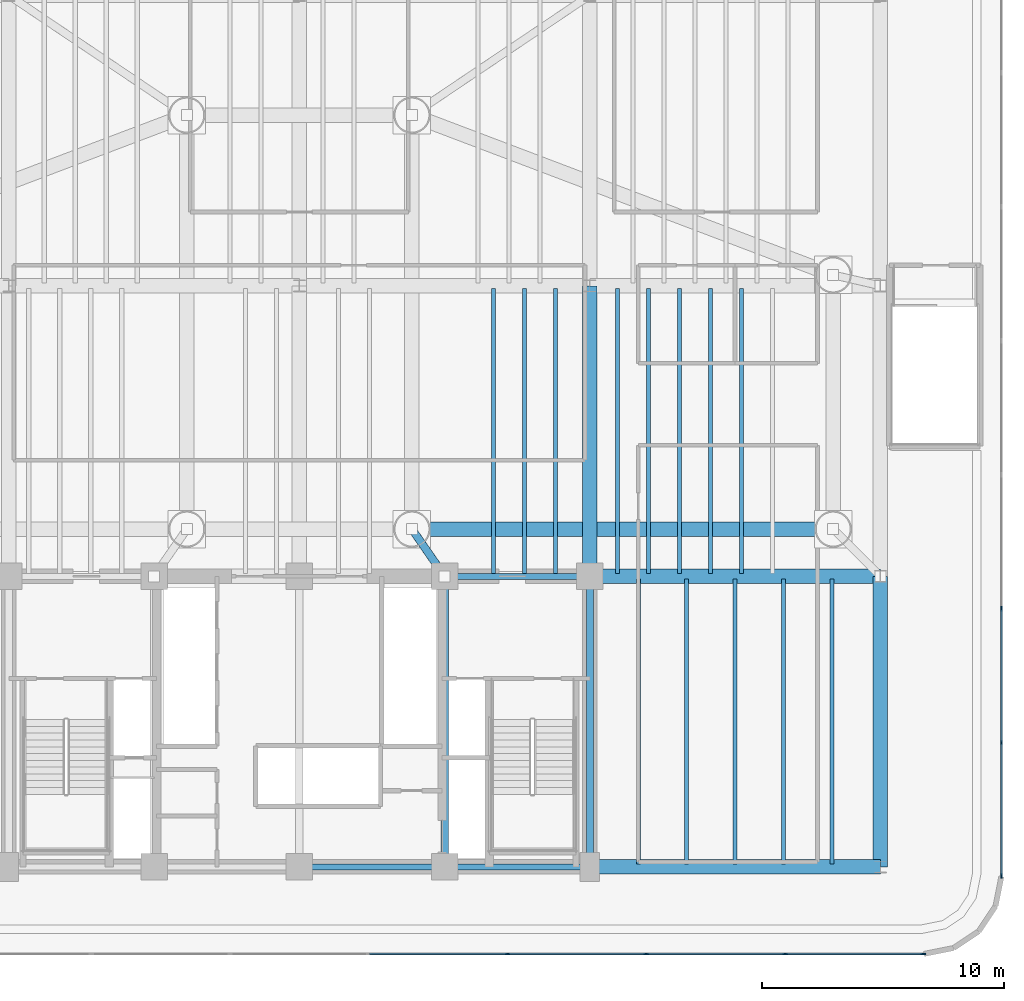
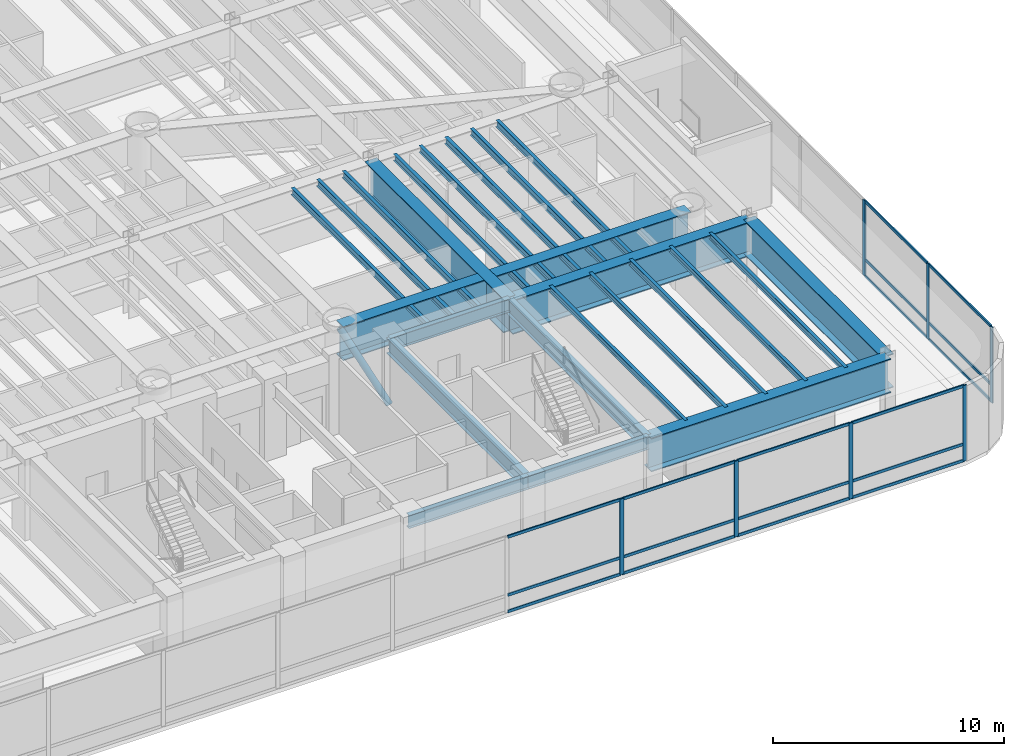
# One storey, part 5 of 18: 26 members, 23 beams, 2 elements without a shape of their own.
"""IFC4 building model written with IfcOpenShell, lengths in metres."""

from ifc_helpers import new_model, si_unit, direction, frame, origin, origin_2d, place, context, subcontext, project, spatial, rectangle, hollow_circle, i_section, extrude, source, transform, mapped, material, layer, layer_set, material_profile, profile_set, type_object, element, aggregate, save


model = new_model("IFC4")

# Units and contexts
model_context = context("Model", 3, precision=1e-05, world=origin(), true_north=direction((0.0, 1.0)))
body_context = subcontext(model_context, "Body", "Model", "MODEL_VIEW")
ifc_project = project(units=[si_unit("LENGTHUNIT", "METRE"), si_unit("AREAUNIT", "SQUARE_METRE"), si_unit("VOLUMEUNIT", "CUBIC_METRE"), si_unit("PLANEANGLEUNIT", "RADIAN"), si_unit("MASSUNIT", "GRAM", prefix="KILO")], contexts=[model_context])

# Site, building, storey
site_placement = place(None, origin())
site = spatial("IfcSite", under=ifc_project, at=site_placement, CompositionType="ELEMENT")
building_placement = place(site_placement, origin())
building = spatial("IfcBuilding", under=site, at=building_placement, Name="Brelvock Crest Care Tower", CompositionType="ELEMENT")
storey_placement = place(building_placement, frame((0.0, 0.0, 22.679931640625)))
storey = spatial("IfcBuildingStorey", under=building, at=storey_placement, Name="L05", CompositionType="ELEMENT", Elevation=22.679931640625)

# Beams
ifc_material_1 = material(Name="Steel Grade 350", Category="steel")
ifc_material_profile_1 = material_profile(ifc_material_1, i_section(OverallWidth=0.25, OverallDepth=0.699951171875, WebThickness=0.011962890625, FlangeThickness=0.02001953125, at=origin_2d()), Name="700WB150")
ifc_profile_set_1 = profile_set([ifc_material_profile_1], Name="Steel Grade 350")
beam_type_1 = type_object("IfcBeamType", Name="BM-G4", PredefinedType="BEAM", material=ifc_profile_set_1)
shared_shape_1 = source(origin(), body_context, "Body", "SweptSolid", [
    extrude(i_section(OverallWidth=0.25, OverallDepth=0.699951171875, WebThickness=0.011962890625, FlangeThickness=0.02001953125, at=origin_2d()), origin(), (0.0, 0.0, 1.0), 6.0),
])
for number, where, z_axis, x_axis, name in (
    (1, (36.0, 6.0, 3.650146484375), (1.0, 0.0, 0.0), (0.0, 1.0, 0.0), "BM-CORES-L05-3"),
    (2, (42.0, 6.0, 3.650146484375), (1.0, 0.0, 0.0), (0.0, 1.0, 0.0), "BM-CORES-L05-4"),
    (3, (42.0, 18.0, 3.650146484375), (1.0, 0.0, 0.0), (0.0, 1.0, 0.0), "BM-COREN-L05-4"),
):
    element("IfcBeam", number, at=place(storey_placement, frame(where, z_axis=z_axis, x_axis=x_axis)), inside=storey, type_object=beam_type_1, Name=name, PredefinedType="BEAM", context=body_context, shape_type="MappedRepresentation", body=[
        mapped(shared_shape_1, transform((0.0, 0.0, 0.0), x_axis=(1.0, 0.0, 0.0), y_axis=(0.0, 1.0, 0.0), z_axis=(0.0, 0.0, 1.0), scale=1.0)),
    ])
ifc_material_profile_2 = material_profile(ifc_material_1, i_section(OverallWidth=0.300048828125, OverallDepth=0.800048828125, WebThickness=0.013916015625, FlangeThickness=0.02197265625, at=origin_2d()), Name="800WB192")
ifc_profile_set_2 = profile_set([ifc_material_profile_2], Name="Steel Grade 350")
beam_type_2 = type_object("IfcBeamType", Name="BM-G5", PredefinedType="BEAM", material=ifc_profile_set_2)
shared_shape_2 = source(origin(), body_context, "Body", "SweptSolid", [
    extrude(i_section(OverallWidth=0.300048828125, OverallDepth=0.800048828125, WebThickness=0.013916015625, FlangeThickness=0.02197265625, at=origin_2d()), origin(), (0.0, 0.0, 1.0), 12.0),
])
for number, where, z_axis, x_axis, name in (
    (4, (42.0, 6.0, 3.60009765625), (0.0, 1.0, 0.0), (-1.0, 0.0, 0.0), "BM-COREX-L05-4"),
    (5, (48.0, 6.0, 3.60009765625), (0.0, 1.0, 0.0), (-1.0, 0.0, 0.0), "BM-COREX-L05-5"),
):
    element("IfcBeam", number, at=place(storey_placement, frame(where, z_axis=z_axis, x_axis=x_axis)), inside=storey, type_object=beam_type_2, Name=name, PredefinedType="BEAM", context=body_context, shape_type="MappedRepresentation", body=[
        mapped(shared_shape_2, transform((0.0, 0.0, 0.0), x_axis=(1.0, 0.0, 0.0), y_axis=(0.0, 1.0, 0.0), z_axis=(0.0, 0.0, 1.0), scale=1.0)),
    ])
ifc_material_profile_3 = material_profile(ifc_material_1, i_section(OverallWidth=0.172119140625, OverallDepth=0.35888671875, WebThickness=0.008056640625, FlangeThickness=0.012939453125, FilletRadius=0.011474609375, at=origin_2d()), Name="360UB56.7")
ifc_profile_set_3 = profile_set([ifc_material_profile_3], Name="Steel Grade 350")
beam_type_3 = type_object("IfcBeamType", Name="BM-J1", PredefinedType="JOIST", material=ifc_profile_set_3)
shared_shape_3 = source(origin(), body_context, "Body", "SweptSolid", [
    extrude(i_section(OverallWidth=0.172119140625, OverallDepth=0.35888671875, WebThickness=0.008056640625, FlangeThickness=0.012939453125, FilletRadius=0.011474609375, at=origin_2d()), origin(), (0.0, 0.0, 1.0), 11.77001953125),
])
for number, where, z_axis, x_axis, name in (
    (6, (44.02001953125, 18.114990234375, 3.820556640625), (0.0, 1.0, 0.0), (-1.0, 0.0, 0.0), "BM-PODJ-L05-4402-18"),
    (7, (45.300048828125, 18.114990234375, 3.820556640625), (0.0, 1.0, 0.0), (-1.0, 0.0, 0.0), "BM-PODJ-L05-4530-18"),
    (8, (46.580078125, 18.114990234375, 3.820556640625), (0.0, 1.0, 0.0), (-1.0, 0.0, 0.0), "BM-PODJ-L05-4658-18"),
    (9, (49.139892578125, 18.114990234375, 3.820556640625), (0.0, 1.0, 0.0), (-1.0, 0.0, 0.0), "BM-PODJ-L05-4914-18"),
    (10, (50.419921875, 18.114990234375, 3.820556640625), (0.0, 1.0, 0.0), (-1.0, 0.0, 0.0), "BM-PODJ-L05-5042-18"),
    (11, (51.699951171875, 18.114990234375, 3.820556640625), (0.0, 1.0, 0.0), (-1.0, 0.0, 0.0), "BM-PODJ-L05-5170-18"),
    (12, (52.97998046875, 18.114990234375, 3.820556640625), (0.0, 1.0, 0.0), (-1.0, 0.0, 0.0), "BM-PODJ-L05-5298-18"),
    (13, (54.260009765625, 18.114990234375, 3.820556640625), (0.0, 1.0, 0.0), (-1.0, 0.0, 0.0), "BM-PODJ-L05-5426-18"),
):
    element("IfcBeam", number, at=place(storey_placement, frame(where, z_axis=z_axis, x_axis=x_axis)), inside=storey, type_object=beam_type_3, Name=name, PredefinedType="JOIST", context=body_context, shape_type="MappedRepresentation", body=[
        mapped(shared_shape_3, transform((0.0, 0.0, 0.0), x_axis=(1.0, 0.0, 0.0), y_axis=(0.0, 1.0, 0.0), z_axis=(0.0, 0.0, 1.0), scale=1.0)),
    ])
ifc_material_profile_4 = material_profile(ifc_material_1, i_section(OverallWidth=0.166015625, OverallDepth=0.306884765625, WebThickness=0.006591796875, FlangeThickness=0.01171875, FilletRadius=0.011474609375, at=origin_2d()), Name="310UB46.2")
ifc_profile_set_4 = profile_set([ifc_material_profile_4], Name="Steel Grade 350")
beam_type_4 = type_object("IfcBeamType", Name="BM-J2", PredefinedType="JOIST", material=ifc_profile_set_4)
shared_shape_4 = source(origin(), body_context, "Body", "SweptSolid", [
    extrude(i_section(OverallWidth=0.166015625, OverallDepth=0.306884765625, WebThickness=0.006591796875, FlangeThickness=0.01171875, FilletRadius=0.011474609375, at=origin_2d()), origin(), (0.0, 0.0, 1.0), 11.77001953125),
])
for number, where, z_axis, x_axis, name in (
    (14, (50.0, 6.114990234375, 3.8466796875), (0.0, 1.0, 0.0), (-1.0, 0.0, 0.0), "BM-PODSJ-L05-500"),
    (15, (52.0, 6.114990234375, 3.8466796875), (0.0, 1.0, 0.0), (-1.0, 0.0, 0.0), "BM-PODSJ-L05-520"),
    (16, (54.0, 6.114990234375, 3.8466796875), (0.0, 1.0, 0.0), (-1.0, 0.0, 0.0), "BM-PODSJ-L05-540"),
    (17, (56.0, 6.114990234375, 3.8466796875), (0.0, 1.0, 0.0), (-1.0, 0.0, 0.0), "BM-PODSJ-L05-560"),
    (18, (58.0, 6.114990234375, 3.8466796875), (0.0, 1.0, 0.0), (-1.0, 0.0, 0.0), "BM-PODSJ-L05-580"),
):
    element("IfcBeam", number, at=place(storey_placement, frame(where, z_axis=z_axis, x_axis=x_axis)), inside=storey, type_object=beam_type_4, Name=name, PredefinedType="JOIST", context=body_context, shape_type="MappedRepresentation", body=[
        mapped(shared_shape_4, transform((0.0, 0.0, 0.0), x_axis=(1.0, 0.0, 0.0), y_axis=(0.0, 1.0, 0.0), z_axis=(0.0, 0.0, 1.0), scale=1.0)),
    ])
ifc_material_profile_5 = material_profile(ifc_material_1, i_section(OverallWidth=0.60009765625, OverallDepth=1.800048828125, WebThickness=0.028076171875, FlangeThickness=0.052001953125, at=origin_2d()), Name="1800TG740")
ifc_profile_set_5 = profile_set([ifc_material_profile_5], Name="Steel Grade 350")
beam_type_5 = type_object("IfcBeamType", Name="BM-TG1", PredefinedType="USERDEFINED", material=ifc_profile_set_5)
shared_shape_5 = source(origin(), body_context, "Body", "SweptSolid", [
    extrude(i_section(OverallWidth=0.60009765625, OverallDepth=1.800048828125, WebThickness=0.028076171875, FlangeThickness=0.052001953125, at=origin_2d()), origin(), (0.0, 0.0, 1.0), 12.0),
])
for number, where, z_axis, x_axis, name in (
    (19, (48.0, 6.0, 3.10009765625), (1.0, 0.0, 0.0), (0.0, 1.0, 0.0), "BM-PODX-L05-6-48"),
    (20, (48.0, 18.0, 3.10009765625), (1.0, 0.0, 0.0), (0.0, 1.0, 0.0), "BM-PODX-L05-18-48"),
    (21, (48.0, 18.0, 3.10009765625), (0.0, 1.0, 0.0), (-1.0, 0.0, 0.0), "BM-PODY-L05-48-18"),
    (22, (60.0, 6.0, 3.10009765625), (0.0, 1.0, 0.0), (-1.0, 0.0, 0.0), "BM-PODY-L05-60-6"),
):
    element("IfcBeam", number, at=place(storey_placement, frame(where, z_axis=z_axis, x_axis=x_axis)), inside=storey, type_object=beam_type_5, Name=name, ObjectType="GIRDER", PredefinedType="USERDEFINED", context=body_context, shape_type="MappedRepresentation", body=[
        mapped(shared_shape_5, transform((0.0, 0.0, 0.0), x_axis=(1.0, 0.0, 0.0), y_axis=(0.0, 1.0, 0.0), z_axis=(0.0, 0.0, 1.0), scale=1.0)),
    ])
shared_shape_6 = source(origin(), body_context, "Body", "SweptSolid", [
    extrude(i_section(OverallWidth=0.60009765625, OverallDepth=1.800048828125, WebThickness=0.028076171875, FlangeThickness=0.052001953125, at=origin_2d()), origin(), (0.0, 0.0, 1.0), 17.400146484375),
])
beam_placement = place(storey_placement, frame((40.64990234375, 19.949951171875, 3.10009765625), z_axis=(1.0, 0.0, 0.0), x_axis=(0.0, 1.0, 0.0)))
element("IfcBeam", 23, at=beam_placement, inside=storey, type_object=beam_type_5, Name="BM-TWR-L05-04", ObjectType="GIRDER", PredefinedType="USERDEFINED", context=body_context, shape_type="MappedRepresentation", body=[
    mapped(shared_shape_6, transform((0.0, 0.0, 0.0), x_axis=(1.0, 0.0, 0.0), y_axis=(0.0, 1.0, 0.0), z_axis=(0.0, 0.0, 1.0), scale=1.0)),
])

# Member
ifc_material_profile_6 = material_profile(ifc_material_1, hollow_circle(Radius=0.161865234375, WallThickness=0.0126953125, at=origin_2d()), Name="CHS323.9x12.7")
ifc_profile_set_6 = profile_set([ifc_material_profile_6], Name="Steel Grade 350")
member_type_1 = type_object("IfcMemberType", Name="MEM-ST1", PredefinedType="STRUT", material=ifc_profile_set_6)
shared_shape_7 = source(origin(), body_context, "Body", "SweptSolid", [
    extrude(hollow_circle(Radius=0.161865234375, WallThickness=0.0126953125, at=origin_2d()), origin(), (0.0, 0.0, 1.0), 4.080078125),
])
member_1_placement = place(storey_placement, frame((42.0, 18.0, 0.449951171875), z_axis=(-0.330891110428, 0.47790728734, 0.813704920562), x_axis=(-0.8221662504, -0.569247447691, 0.0)))
element("IfcMember", 24, at=member_1_placement, inside=storey, type_object=member_type_1, Name="L05 Transfer Strut PST-06", PredefinedType="STRUT", context=body_context, shape_type="MappedRepresentation", body=[
    mapped(shared_shape_7, transform((0.0, 0.0, 0.0), x_axis=(1.0, 0.0, 0.0), y_axis=(0.0, 1.0, 0.0), z_axis=(0.0, 0.0, 1.0), scale=1.0)),
])

# Curtain wall, members
ifc_material_2 = material(Name="Dark Glass Double Glazed Low-E", Category="glass")
ifc_layer = layer(ifc_material_2, 0.179931640625, Name="CWS-1")
ifc_layer_set = layer_set([ifc_layer], Name="Dark Glass Double Glazed Low-E")
curtain_wall_type = type_object("IfcCurtainWallType", Name="CWS-1", PredefinedType="NOTDEFINED", material=ifc_layer_set)
curtain_wall_1_placement = place(storey_placement, origin())
curtain_wall_1 = element("IfcCurtainWall", 25, at=curtain_wall_1_placement, inside=storey, type_object=curtain_wall_type, Name="L05 Curtain Wall E14", PredefinedType="NOTDEFINED")
ifc_material_3 = material(Name="Aluminium 6063-T6", Category="aluminium")
ifc_material_profile_7 = material_profile(ifc_material_3, rectangle(XDim=0.06494140625, YDim=0.14990234375, at=origin_2d()), Name="ALU65x150")
ifc_profile_set_7 = profile_set([ifc_material_profile_7], Name="Aluminium 6063-T6")
member_type_2 = type_object("IfcMemberType", Name="CWT-1", PredefinedType="USERDEFINED", material=ifc_profile_set_7)
shared_shape_8 = source(origin(), body_context, "Body", "SweptSolid", [
    extrude(rectangle(XDim=0.06494140625, YDim=0.14990234375, at=origin_2d()), origin(), (0.0, 0.0, 1.0), 5.435791015625),
])
member_2_placement = place(storey_placement, frame((65.0, 11.100830078125, 0.032470703125), z_axis=(0.0, -1.0, 0.0), x_axis=(1.0, 0.0, 0.0)))
member_2 = element("IfcMember", 26, at=member_2_placement, type_object=member_type_2, Name="CW-1 transom 9.1", ObjectType="TRANSOM", PredefinedType="USERDEFINED", context=body_context, shape_type="MappedRepresentation", body=[
    mapped(shared_shape_8, transform((0.0, 0.0, 0.0), x_axis=(1.0, 0.0, 0.0), y_axis=(0.0, 1.0, 0.0), z_axis=(0.0, 0.0, 1.0), scale=1.0)),
])
member_3_placement = place(storey_placement, frame((65.0, 11.100830078125, 0.900146484375), z_axis=(0.0, -1.0, 0.0), x_axis=(1.0, 0.0, 0.0)))
member_3 = element("IfcMember", 27, at=member_3_placement, type_object=member_type_2, Name="CW-1 transom 9.2", ObjectType="TRANSOM", PredefinedType="USERDEFINED", context=body_context, shape_type="MappedRepresentation", body=[
    mapped(shared_shape_8, transform((0.0, 0.0, 0.0), x_axis=(1.0, 0.0, 0.0), y_axis=(0.0, 1.0, 0.0), z_axis=(0.0, 0.0, 1.0), scale=1.0)),
])
member_4_placement = place(storey_placement, frame((65.0, 11.100830078125, 3.967529296875), z_axis=(0.0, -1.0, 0.0), x_axis=(1.0, 0.0, 0.0)))
member_4 = element("IfcMember", 28, at=member_4_placement, type_object=member_type_2, Name="CW-1 transom 9.3", ObjectType="TRANSOM", PredefinedType="USERDEFINED", context=body_context, shape_type="MappedRepresentation", body=[
    mapped(shared_shape_8, transform((0.0, 0.0, 0.0), x_axis=(1.0, 0.0, 0.0), y_axis=(0.0, 1.0, 0.0), z_axis=(0.0, 0.0, 1.0), scale=1.0)),
])
shared_shape_9 = source(origin(), body_context, "Body", "SweptSolid", [
    extrude(rectangle(XDim=0.06494140625, YDim=0.14990234375, at=origin_2d()), origin(), (0.0, 0.0, 1.0), 5.468505859375),
])
member_5_placement = place(storey_placement, frame((65.0, 16.63427734375, 0.032470703125), z_axis=(0.0, -1.0, 0.0), x_axis=(1.0, 0.0, 0.0)))
member_5 = element("IfcMember", 29, at=member_5_placement, type_object=member_type_2, Name="CW-1 transom 8.1", ObjectType="TRANSOM", PredefinedType="USERDEFINED", context=body_context, shape_type="MappedRepresentation", body=[
    mapped(shared_shape_9, transform((0.0, 0.0, 0.0), x_axis=(1.0, 0.0, 0.0), y_axis=(0.0, 1.0, 0.0), z_axis=(0.0, 0.0, 1.0), scale=1.0)),
])
member_6_placement = place(storey_placement, frame((65.0, 16.63427734375, 0.900146484375), z_axis=(0.0, -1.0, 0.0), x_axis=(1.0, 0.0, 0.0)))
member_6 = element("IfcMember", 30, at=member_6_placement, type_object=member_type_2, Name="CW-1 transom 8.2", ObjectType="TRANSOM", PredefinedType="USERDEFINED", context=body_context, shape_type="MappedRepresentation", body=[
    mapped(shared_shape_9, transform((0.0, 0.0, 0.0), x_axis=(1.0, 0.0, 0.0), y_axis=(0.0, 1.0, 0.0), z_axis=(0.0, 0.0, 1.0), scale=1.0)),
])
member_7_placement = place(storey_placement, frame((65.0, 16.63427734375, 3.967529296875), z_axis=(0.0, -1.0, 0.0), x_axis=(1.0, 0.0, 0.0)))
member_7 = element("IfcMember", 31, at=member_7_placement, type_object=member_type_2, Name="CW-1 transom 8.3", ObjectType="TRANSOM", PredefinedType="USERDEFINED", context=body_context, shape_type="MappedRepresentation", body=[
    mapped(shared_shape_9, transform((0.0, 0.0, 0.0), x_axis=(1.0, 0.0, 0.0), y_axis=(0.0, 1.0, 0.0), z_axis=(0.0, 0.0, 1.0), scale=1.0)),
])

curtain_wall_2_placement = place(storey_placement, origin())
curtain_wall_2 = element("IfcCurtainWall", 32, at=curtain_wall_2_placement, inside=storey, type_object=curtain_wall_type, Name="L05 Curtain Wall E19", PredefinedType="NOTDEFINED")
shared_shape_10 = source(origin(), body_context, "Body", "SweptSolid", [
    extrude(rectangle(XDim=0.06494140625, YDim=0.14990234375, at=origin_2d()), origin(), (0.0, 0.0, 1.0), 5.635986328125),
])
member_8_placement = place(storey_placement, frame((61.735107421875, 2.39990234375, 0.032470703125), z_axis=(-1.0, 0.0, 0.0), x_axis=(0.0, -1.0, 0.0)))
member_8 = element("IfcMember", 33, at=member_8_placement, type_object=member_type_2, Name="CW-1 transom 1.1", ObjectType="TRANSOM", PredefinedType="USERDEFINED", context=body_context, shape_type="MappedRepresentation", body=[
    mapped(shared_shape_10, transform((0.0, 0.0, 0.0), x_axis=(1.0, 0.0, 0.0), y_axis=(0.0, 1.0, 0.0), z_axis=(0.0, 0.0, 1.0), scale=1.0)),
])
member_9_placement = place(storey_placement, frame((61.735107421875, 2.39990234375, 0.900146484375), z_axis=(-1.0, 0.0, 0.0), x_axis=(0.0, -1.0, 0.0)))
member_9 = element("IfcMember", 34, at=member_9_placement, type_object=member_type_2, Name="CW-1 transom 1.2", ObjectType="TRANSOM", PredefinedType="USERDEFINED", context=body_context, shape_type="MappedRepresentation", body=[
    mapped(shared_shape_10, transform((0.0, 0.0, 0.0), x_axis=(1.0, 0.0, 0.0), y_axis=(0.0, 1.0, 0.0), z_axis=(0.0, 0.0, 1.0), scale=1.0)),
])
member_10_placement = place(storey_placement, frame((61.735107421875, 2.39990234375, 3.967529296875), z_axis=(-1.0, 0.0, 0.0), x_axis=(0.0, -1.0, 0.0)))
member_10 = element("IfcMember", 35, at=member_10_placement, type_object=member_type_2, Name="CW-1 transom 1.3", ObjectType="TRANSOM", PredefinedType="USERDEFINED", context=body_context, shape_type="MappedRepresentation", body=[
    mapped(shared_shape_10, transform((0.0, 0.0, 0.0), x_axis=(1.0, 0.0, 0.0), y_axis=(0.0, 1.0, 0.0), z_axis=(0.0, 0.0, 1.0), scale=1.0)),
])
shared_shape_11 = source(origin(), body_context, "Body", "SweptSolid", [
    extrude(rectangle(XDim=0.06494140625, YDim=0.14990234375, at=origin_2d()), origin(), (0.0, 0.0, 1.0), 5.66845703125),
])
member_11_placement = place(storey_placement, frame((56.0341796875, 2.39990234375, 0.032470703125), z_axis=(-1.0, 0.0, 0.0), x_axis=(0.0, -1.0, 0.0)))
member_11 = element("IfcMember", 36, at=member_11_placement, type_object=member_type_2, Name="CW-1 transom 2.1", ObjectType="TRANSOM", PredefinedType="USERDEFINED", context=body_context, shape_type="MappedRepresentation", body=[
    mapped(shared_shape_11, transform((0.0, 0.0, 0.0), x_axis=(1.0, 0.0, 0.0), y_axis=(0.0, 1.0, 0.0), z_axis=(0.0, 0.0, 1.0), scale=1.0)),
])
member_12_placement = place(storey_placement, frame((56.0341796875, 2.39990234375, 0.900146484375), z_axis=(-1.0, 0.0, 0.0), x_axis=(0.0, -1.0, 0.0)))
member_12 = element("IfcMember", 37, at=member_12_placement, type_object=member_type_2, Name="CW-1 transom 2.2", ObjectType="TRANSOM", PredefinedType="USERDEFINED", context=body_context, shape_type="MappedRepresentation", body=[
    mapped(shared_shape_11, transform((0.0, 0.0, 0.0), x_axis=(1.0, 0.0, 0.0), y_axis=(0.0, 1.0, 0.0), z_axis=(0.0, 0.0, 1.0), scale=1.0)),
])
member_13_placement = place(storey_placement, frame((56.0341796875, 2.39990234375, 3.967529296875), z_axis=(-1.0, 0.0, 0.0), x_axis=(0.0, -1.0, 0.0)))
member_13 = element("IfcMember", 38, at=member_13_placement, type_object=member_type_2, Name="CW-1 transom 2.3", ObjectType="TRANSOM", PredefinedType="USERDEFINED", context=body_context, shape_type="MappedRepresentation", body=[
    mapped(shared_shape_11, transform((0.0, 0.0, 0.0), x_axis=(1.0, 0.0, 0.0), y_axis=(0.0, 1.0, 0.0), z_axis=(0.0, 0.0, 1.0), scale=1.0)),
])
shared_shape_12 = source(origin(), body_context, "Body", "SweptSolid", [
    extrude(rectangle(XDim=0.06494140625, YDim=0.14990234375, at=origin_2d()), origin(), (0.0, 0.0, 1.0), 5.668212890625),
])
member_14_placement = place(storey_placement, frame((50.30078125, 2.39990234375, 0.032470703125), z_axis=(-1.0, 0.0, 0.0), x_axis=(0.0, -1.0, 0.0)))
member_14 = element("IfcMember", 39, at=member_14_placement, type_object=member_type_2, Name="CW-1 transom 3.1", ObjectType="TRANSOM", PredefinedType="USERDEFINED", context=body_context, shape_type="MappedRepresentation", body=[
    mapped(shared_shape_12, transform((0.0, 0.0, 0.0), x_axis=(1.0, 0.0, 0.0), y_axis=(0.0, 1.0, 0.0), z_axis=(0.0, 0.0, 1.0), scale=1.0)),
])
member_15_placement = place(storey_placement, frame((50.30078125, 2.39990234375, 0.900146484375), z_axis=(-1.0, 0.0, 0.0), x_axis=(0.0, -1.0, 0.0)))
member_15 = element("IfcMember", 40, at=member_15_placement, type_object=member_type_2, Name="CW-1 transom 3.2", ObjectType="TRANSOM", PredefinedType="USERDEFINED", context=body_context, shape_type="MappedRepresentation", body=[
    mapped(shared_shape_12, transform((0.0, 0.0, 0.0), x_axis=(1.0, 0.0, 0.0), y_axis=(0.0, 1.0, 0.0), z_axis=(0.0, 0.0, 1.0), scale=1.0)),
])
member_16_placement = place(storey_placement, frame((50.30078125, 2.39990234375, 3.967529296875), z_axis=(-1.0, 0.0, 0.0), x_axis=(0.0, -1.0, 0.0)))
member_16 = element("IfcMember", 41, at=member_16_placement, type_object=member_type_2, Name="CW-1 transom 3.3", ObjectType="TRANSOM", PredefinedType="USERDEFINED", context=body_context, shape_type="MappedRepresentation", body=[
    mapped(shared_shape_12, transform((0.0, 0.0, 0.0), x_axis=(1.0, 0.0, 0.0), y_axis=(0.0, 1.0, 0.0), z_axis=(0.0, 0.0, 1.0), scale=1.0)),
])
member_17_placement = place(storey_placement, frame((44.5673828125, 2.39990234375, 0.032470703125), z_axis=(-1.0, 0.0, 0.0), x_axis=(0.0, -1.0, 0.0)))
member_17 = element("IfcMember", 42, at=member_17_placement, type_object=member_type_2, Name="CW-1 transom 4.1", ObjectType="TRANSOM", PredefinedType="USERDEFINED", context=body_context, shape_type="MappedRepresentation", body=[
    mapped(shared_shape_12, transform((0.0, 0.0, 0.0), x_axis=(1.0, 0.0, 0.0), y_axis=(0.0, 1.0, 0.0), z_axis=(0.0, 0.0, 1.0), scale=1.0)),
])
member_18_placement = place(storey_placement, frame((44.5673828125, 2.39990234375, 0.900146484375), z_axis=(-1.0, 0.0, 0.0), x_axis=(0.0, -1.0, 0.0)))
member_18 = element("IfcMember", 43, at=member_18_placement, type_object=member_type_2, Name="CW-1 transom 4.2", ObjectType="TRANSOM", PredefinedType="USERDEFINED", context=body_context, shape_type="MappedRepresentation", body=[
    mapped(shared_shape_12, transform((0.0, 0.0, 0.0), x_axis=(1.0, 0.0, 0.0), y_axis=(0.0, 1.0, 0.0), z_axis=(0.0, 0.0, 1.0), scale=1.0)),
])
member_19_placement = place(storey_placement, frame((44.5673828125, 2.39990234375, 3.967529296875), z_axis=(-1.0, 0.0, 0.0), x_axis=(0.0, -1.0, 0.0)))
member_19 = element("IfcMember", 44, at=member_19_placement, type_object=member_type_2, Name="CW-1 transom 4.3", ObjectType="TRANSOM", PredefinedType="USERDEFINED", context=body_context, shape_type="MappedRepresentation", body=[
    mapped(shared_shape_12, transform((0.0, 0.0, 0.0), x_axis=(1.0, 0.0, 0.0), y_axis=(0.0, 1.0, 0.0), z_axis=(0.0, 0.0, 1.0), scale=1.0)),
])

# Member
ifc_material_profile_8 = material_profile(ifc_material_3, rectangle(XDim=0.06494140625, YDim=0.199951171875, at=origin_2d()), Name="ALU65x200")
ifc_profile_set_8 = profile_set([ifc_material_profile_8], Name="Aluminium 6063-T6")
member_type_3 = type_object("IfcMemberType", Name="CWM-1", PredefinedType="MULLION", material=ifc_profile_set_8)
shared_shape_13 = source(origin(), body_context, "Body", "SweptSolid", [
    extrude(rectangle(XDim=0.06494140625, YDim=0.199951171875, at=origin_2d()), origin(), (0.0, 0.0, 1.0), 4.0),
])
member_20_placement = place(storey_placement, frame((65.0, 16.666748046875, 0.0), z_axis=(0.0, 0.0, 1.0), x_axis=(1.0, 0.0, 0.0)))
member_20 = element("IfcMember", 45, at=member_20_placement, type_object=member_type_3, Name="CW-1 mullion 8", PredefinedType="MULLION", context=body_context, shape_type="MappedRepresentation", body=[
    mapped(shared_shape_13, transform((0.0, 0.0, 0.0), x_axis=(1.0, 0.0, 0.0), y_axis=(0.0, 1.0, 0.0), z_axis=(0.0, 0.0, 1.0), scale=1.0)),
])

member_21_placement = place(storey_placement, frame((65.0, 11.13330078125, 0.0), z_axis=(0.0, 0.0, 1.0), x_axis=(1.0, 0.0, 0.0)))
member_21 = element("IfcMember", 46, at=member_21_placement, type_object=member_type_3, Name="CW-1 mullion 9", PredefinedType="MULLION", context=body_context, shape_type="MappedRepresentation", body=[
    mapped(shared_shape_13, transform((0.0, 0.0, 0.0), x_axis=(1.0, 0.0, 0.0), y_axis=(0.0, 1.0, 0.0), z_axis=(0.0, 0.0, 1.0), scale=1.0)),
])

member_22_placement = place(storey_placement, frame((65.0, 5.632568359375, 0.0), z_axis=(0.0, 0.0, 1.0), x_axis=(1.0, 0.0, 0.0)))
member_22 = element("IfcMember", 47, at=member_22_placement, type_object=member_type_3, Name="CW-1 mullion 10", PredefinedType="MULLION", context=body_context, shape_type="MappedRepresentation", body=[
    mapped(shared_shape_13, transform((0.0, 0.0, 0.0), x_axis=(1.0, 0.0, 0.0), y_axis=(0.0, 1.0, 0.0), z_axis=(0.0, 0.0, 1.0), scale=1.0)),
])

aggregate(curtain_wall_1, [member_20, member_21, member_22, member_5, member_6, member_7, member_2, member_3, member_4])

member_23_placement = place(storey_placement, frame((61.767578125, 2.39990234375, 0.0), z_axis=(0.0, 0.0, 1.0), x_axis=(0.0, -1.0, 0.0)))
member_23 = element("IfcMember", 48, at=member_23_placement, type_object=member_type_3, Name="CW-1 mullion 1", PredefinedType="MULLION", context=body_context, shape_type="MappedRepresentation", body=[
    mapped(shared_shape_13, transform((0.0, 0.0, 0.0), x_axis=(1.0, 0.0, 0.0), y_axis=(0.0, 1.0, 0.0), z_axis=(0.0, 0.0, 1.0), scale=1.0)),
])

member_24_placement = place(storey_placement, frame((56.066650390625, 2.39990234375, 0.0), z_axis=(0.0, 0.0, 1.0), x_axis=(0.0, -1.0, 0.0)))
member_24 = element("IfcMember", 49, at=member_24_placement, type_object=member_type_3, Name="CW-1 mullion 2", PredefinedType="MULLION", context=body_context, shape_type="MappedRepresentation", body=[
    mapped(shared_shape_13, transform((0.0, 0.0, 0.0), x_axis=(1.0, 0.0, 0.0), y_axis=(0.0, 1.0, 0.0), z_axis=(0.0, 0.0, 1.0), scale=1.0)),
])

member_25_placement = place(storey_placement, frame((50.333251953125, 2.39990234375, 0.0), z_axis=(0.0, 0.0, 1.0), x_axis=(0.0, -1.0, 0.0)))
member_25 = element("IfcMember", 50, at=member_25_placement, type_object=member_type_3, Name="CW-1 mullion 3", PredefinedType="MULLION", context=body_context, shape_type="MappedRepresentation", body=[
    mapped(shared_shape_13, transform((0.0, 0.0, 0.0), x_axis=(1.0, 0.0, 0.0), y_axis=(0.0, 1.0, 0.0), z_axis=(0.0, 0.0, 1.0), scale=1.0)),
])

member_26_placement = place(storey_placement, frame((44.60009765625, 2.39990234375, 0.0), z_axis=(0.0, 0.0, 1.0), x_axis=(0.0, -1.0, 0.0)))
member_26 = element("IfcMember", 51, at=member_26_placement, type_object=member_type_3, Name="CW-1 mullion 4", PredefinedType="MULLION", context=body_context, shape_type="MappedRepresentation", body=[
    mapped(shared_shape_13, transform((0.0, 0.0, 0.0), x_axis=(1.0, 0.0, 0.0), y_axis=(0.0, 1.0, 0.0), z_axis=(0.0, 0.0, 1.0), scale=1.0)),
])

aggregate(curtain_wall_2, [member_23, member_24, member_25, member_26, member_8, member_9, member_10, member_11, member_12, member_13, member_14, member_15, member_16, member_17, member_18, member_19])

save(model, "model.ifc")
